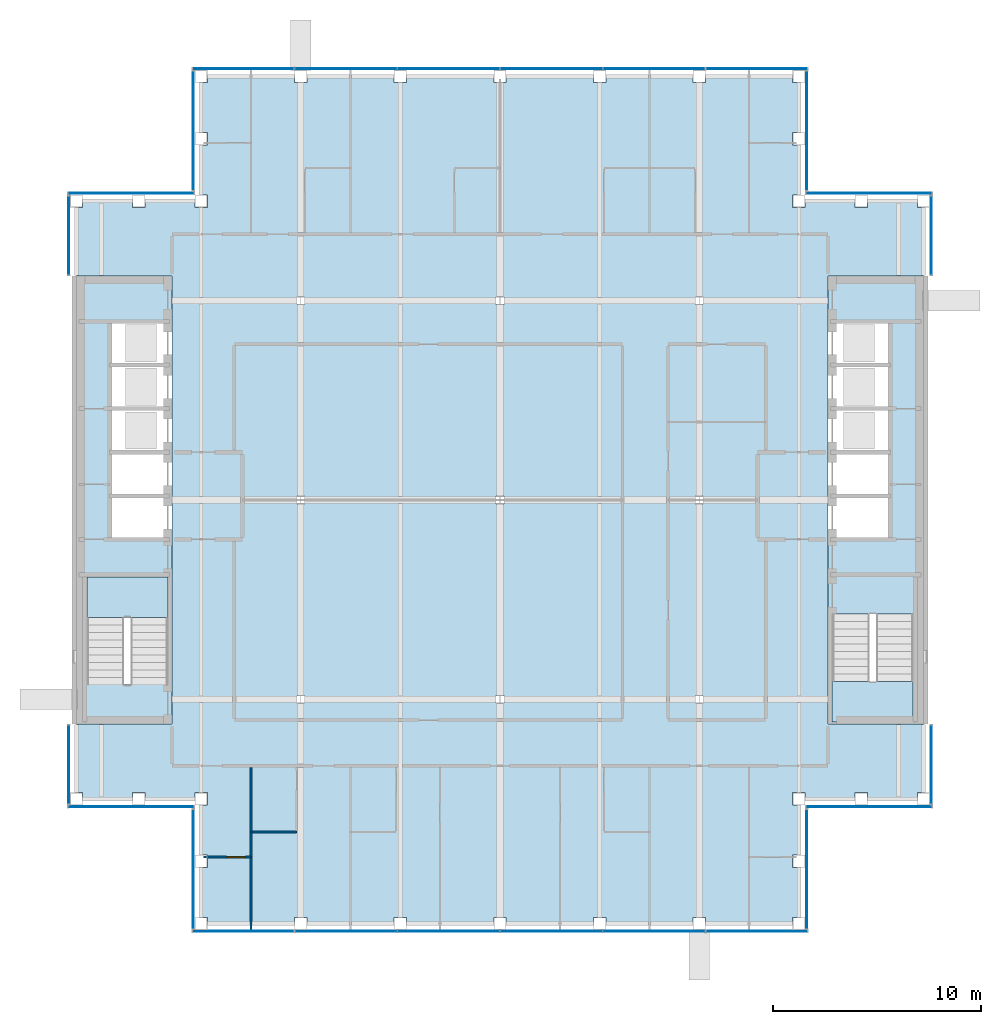
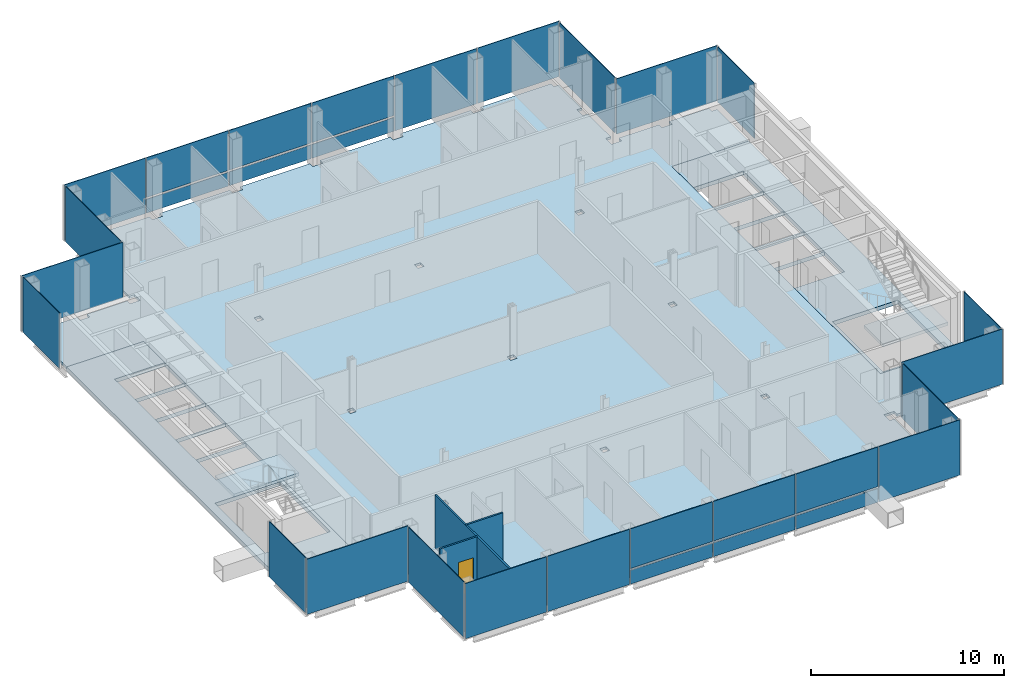
# One storey, part 9 of 15: 30 plates, 5 slabs, 3 walls, 1 door, 1 opening, 16 elements without a shape of their own.
"""IFC4 building model written with IfcOpenShell, lengths in metres."""

from ifc_helpers import new_model, si_unit, direction, frame, frame_2d, origin, origin_2d, place, context, subcontext, project, spatial, polyline, rectangle, outline, extrude, material, layer, layer_set, type_object, element, fill, aggregate, save


model = new_model("IFC4")

# Units and contexts
model_context = context("Model", 3, precision=1e-05, world=origin(), true_north=direction((0.0, 1.0)))
body_context = subcontext(model_context, "Body", "Model", "MODEL_VIEW")
ifc_project = project(units=[si_unit("LENGTHUNIT", "METRE"), si_unit("AREAUNIT", "SQUARE_METRE"), si_unit("VOLUMEUNIT", "CUBIC_METRE"), si_unit("PLANEANGLEUNIT", "RADIAN"), si_unit("MASSUNIT", "GRAM", prefix="KILO")], contexts=[model_context])

# Site, building, storey
site_placement = place(None, origin())
site = spatial("IfcSite", under=ifc_project, at=site_placement, CompositionType="ELEMENT")
building_placement = place(site_placement, origin())
building = spatial("IfcBuilding", under=site, at=building_placement, Name="Cobrizo Arcos Hotel Tower", CompositionType="ELEMENT")
storey_placement = place(building_placement, frame((0.0, 0.0, 258.5)))
storey = spatial("IfcBuildingStorey", under=building, at=storey_placement, Name="L68", CompositionType="ELEMENT", Elevation=258.5)

# Curtain wall, plates
ifc_material_1 = material(Name="Aluminium 6063-T6 anodised bronze", Category="aluminium")
curtain_wall_type = type_object("IfcCurtainWallType", Name="CW-A guest facade", PredefinedType="NOTDEFINED", material=ifc_material_1)
curtain_wall_1_placement = place(storey_placement, origin())
curtain_wall_1 = element("IfcCurtainWall", 1, at=curtain_wall_1_placement, inside=storey, type_object=curtain_wall_type, Name="CW-A L68 S face", PredefinedType="NOTDEFINED")
ifc_material_2 = material(Name="Glass clear laminated low-e", Category="glass")
ifc_layer_1 = layer(ifc_material_2, 0.0400390625)
ifc_layer_set_1 = layer_set([ifc_layer_1], Name="CW-A glass panel")
plate_type_1 = type_object("IfcPlateType", Name="CW-A glass panel", PredefinedType="CURTAIN_PANEL", material=ifc_layer_set_1)
plate_1_placement = place(storey_placement, frame((-2.47509765625, -20.77490234375, 0.990234375), z_axis=(0.0, 0.0, 1.0), x_axis=(1.0, 0.0, 0.0)))
plate_1 = element("IfcPlate", 2, at=plate_1_placement, type_object=plate_type_1, Name="CW-A glass panel 2134", PredefinedType="CURTAIN_PANEL", context=body_context, shape_type="SweptSolid", body=[
    extrude(rectangle(XDim=4.889892578125, YDim=0.0400390625, at=origin_2d()), origin(), (0.0, 0.0, 1.0), 2.510009765625),
])
plate_2_placement = place(storey_placement, frame((2.47509765625, -20.77490234375, 0.990234375), z_axis=(0.0, 0.0, 1.0), x_axis=(1.0, 0.0, 0.0)))
plate_2 = element("IfcPlate", 3, at=plate_2_placement, type_object=plate_type_1, Name="CW-A glass panel 2135", PredefinedType="CURTAIN_PANEL", context=body_context, shape_type="SweptSolid", body=[
    extrude(rectangle(XDim=4.889892578125, YDim=0.0400390625, at=origin_2d()), origin(), (0.0, 0.0, 1.0), 2.510009765625),
])
plate_3_placement = place(storey_placement, frame((7.425048828125, -20.77490234375, 0.990234375), z_axis=(0.0, 0.0, 1.0), x_axis=(1.0, 0.0, 0.0)))
plate_3 = element("IfcPlate", 4, at=plate_3_placement, type_object=plate_type_1, Name="CW-A glass panel 2136", PredefinedType="CURTAIN_PANEL", context=body_context, shape_type="SweptSolid", body=[
    extrude(rectangle(XDim=4.889892578125, YDim=0.0400390625, at=origin_2d()), origin(), (0.0, 0.0, 1.0), 2.510009765625),
])

curtain_wall_2_placement = place(storey_placement, origin())
curtain_wall_2 = element("IfcCurtainWall", 5, at=curtain_wall_2_placement, inside=storey, type_object=curtain_wall_type, Name="CW-A L68 N face", PredefinedType="NOTDEFINED")
plate_4_placement = place(storey_placement, frame((2.47509765625, 20.77490234375, 0.990234375), z_axis=(0.0, 0.0, 1.0), x_axis=(-1.0, 0.0, 0.0)))
plate_4 = element("IfcPlate", 6, at=plate_4_placement, type_object=plate_type_1, Name="CW-A glass panel 2146", PredefinedType="CURTAIN_PANEL", context=body_context, shape_type="SweptSolid", body=[
    extrude(rectangle(XDim=4.889892578125, YDim=0.0400390625, at=origin_2d()), origin(), (0.0, 0.0, 1.0), 2.510009765625),
])
plate_5_placement = place(storey_placement, frame((-2.47509765625, 20.77490234375, 0.990234375), z_axis=(0.0, 0.0, 1.0), x_axis=(-1.0, 0.0, 0.0)))
plate_5 = element("IfcPlate", 7, at=plate_5_placement, type_object=plate_type_1, Name="CW-A glass panel 2147", PredefinedType="CURTAIN_PANEL", context=body_context, shape_type="SweptSolid", body=[
    extrude(rectangle(XDim=4.889892578125, YDim=0.0400390625, at=origin_2d()), origin(), (0.0, 0.0, 1.0), 2.510009765625),
])
plate_6_placement = place(storey_placement, frame((-7.425048828125, 20.77490234375, 0.990234375), z_axis=(0.0, 0.0, 1.0), x_axis=(-1.0, 0.0, 0.0)))
plate_6 = element("IfcPlate", 8, at=plate_6_placement, type_object=plate_type_1, Name="CW-A glass panel 2148", PredefinedType="CURTAIN_PANEL", context=body_context, shape_type="SweptSolid", body=[
    extrude(rectangle(XDim=4.889892578125, YDim=0.0400390625, at=origin_2d()), origin(), (0.0, 0.0, 1.0), 2.510009765625),
])

# Plate
ifc_material_3 = material(Name="Aluminium composite panel pale metal", Category="aluminium")
ifc_layer_2 = layer(ifc_material_3, 0.0400390625)
ifc_layer_set_2 = layer_set([ifc_layer_2], Name="CW-A spandrel panel")
plate_type_2 = type_object("IfcPlateType", Name="CW-A spandrel panel", PredefinedType="CURTAIN_PANEL", material=ifc_layer_set_2)
plate_7_placement = place(storey_placement, frame((-12.360107421875, -20.77490234375, 0.0), z_axis=(0.0, 0.0, 1.0), x_axis=(1.0, 0.0, 0.0)))
plate_7 = element("IfcPlate", 9, at=plate_7_placement, type_object=plate_type_2, Name="CW-A spandrel panel 2132", PredefinedType="CURTAIN_PANEL", context=body_context, shape_type="SweptSolid", body=[
    extrude(rectangle(XDim=4.860107421875, YDim=0.0400390625, at=origin_2d()), origin(), (0.0, 0.0, 1.0), 3.5),
])

plate_8_placement = place(storey_placement, frame((-7.425048828125, -20.77490234375, 0.0), z_axis=(0.0, 0.0, 1.0), x_axis=(1.0, 0.0, 0.0)))
plate_8 = element("IfcPlate", 10, at=plate_8_placement, type_object=plate_type_2, Name="CW-A spandrel panel 2133", PredefinedType="CURTAIN_PANEL", context=body_context, shape_type="SweptSolid", body=[
    extrude(rectangle(XDim=4.889892578125, YDim=0.0400390625, at=origin_2d()), origin(), (0.0, 0.0, 1.0), 3.5),
])

plate_9_placement = place(storey_placement, frame((-2.47509765625, -20.77490234375, 0.0), z_axis=(0.0, 0.0, 1.0), x_axis=(1.0, 0.0, 0.0)))
plate_9 = element("IfcPlate", 11, at=plate_9_placement, type_object=plate_type_2, Name="CW-A spandrel panel 2134", PredefinedType="CURTAIN_PANEL", context=body_context, shape_type="SweptSolid", body=[
    extrude(rectangle(XDim=4.889892578125, YDim=0.0400390625, at=origin_2d()), origin(), (0.0, 0.0, 1.0), 0.8701171875),
])

plate_10_placement = place(storey_placement, frame((2.47509765625, -20.77490234375, 0.0), z_axis=(0.0, 0.0, 1.0), x_axis=(1.0, 0.0, 0.0)))
plate_10 = element("IfcPlate", 12, at=plate_10_placement, type_object=plate_type_2, Name="CW-A spandrel panel 2135", PredefinedType="CURTAIN_PANEL", context=body_context, shape_type="SweptSolid", body=[
    extrude(rectangle(XDim=4.889892578125, YDim=0.0400390625, at=origin_2d()), origin(), (0.0, 0.0, 1.0), 0.8701171875),
])

plate_11_placement = place(storey_placement, frame((7.425048828125, -20.77490234375, 0.0), z_axis=(0.0, 0.0, 1.0), x_axis=(1.0, 0.0, 0.0)))
plate_11 = element("IfcPlate", 13, at=plate_11_placement, type_object=plate_type_2, Name="CW-A spandrel panel 2136", PredefinedType="CURTAIN_PANEL", context=body_context, shape_type="SweptSolid", body=[
    extrude(rectangle(XDim=4.889892578125, YDim=0.0400390625, at=origin_2d()), origin(), (0.0, 0.0, 1.0), 0.8701171875),
])

plate_12_placement = place(storey_placement, frame((12.360107421875, -20.77490234375, 0.0), z_axis=(0.0, 0.0, 1.0), x_axis=(1.0, 0.0, 0.0)))
plate_12 = element("IfcPlate", 14, at=plate_12_placement, type_object=plate_type_2, Name="CW-A spandrel panel 2137", PredefinedType="CURTAIN_PANEL", context=body_context, shape_type="SweptSolid", body=[
    extrude(rectangle(XDim=4.860107421875, YDim=0.0400390625, at=origin_2d()), origin(), (0.0, 0.0, 1.0), 3.5),
])

aggregate(curtain_wall_1, [plate_7, plate_8, plate_9, plate_1, plate_10, plate_2, plate_11, plate_3, plate_12])

# Curtain wall, plate
curtain_wall_3_placement = place(storey_placement, origin())
curtain_wall_3 = element("IfcCurtainWall", 15, at=curtain_wall_3_placement, inside=storey, type_object=curtain_wall_type, Name="CW-A L68 E face", PredefinedType="NOTDEFINED")
plate_13_placement = place(storey_placement, frame((14.77490234375, -17.77490234375, 0.0), z_axis=(0.0, 0.0, 1.0), x_axis=(0.0, 1.0, 0.0)))
plate_13 = element("IfcPlate", 16, at=plate_13_placement, type_object=plate_type_2, Name="CW-A spandrel panel 2138", PredefinedType="CURTAIN_PANEL", context=body_context, shape_type="SweptSolid", body=[
    extrude(rectangle(XDim=5.72998046875, YDim=0.0400390625, at=origin_2d()), origin(), (0.0, 0.0, 1.0), 3.5),
])
aggregate(curtain_wall_3, [plate_13])

curtain_wall_4_placement = place(storey_placement, origin())
curtain_wall_4 = element("IfcCurtainWall", 17, at=curtain_wall_4_placement, inside=storey, type_object=curtain_wall_type, Name="CW-A L68 S face", PredefinedType="NOTDEFINED")
plate_14_placement = place(storey_placement, frame((17.77490234375, -14.77490234375, 0.0), z_axis=(0.0, 0.0, 1.0), x_axis=(1.0, 0.0, 0.0)))
plate_14 = element("IfcPlate", 18, at=plate_14_placement, type_object=plate_type_2, Name="CW-A spandrel panel 2139", PredefinedType="CURTAIN_PANEL", context=body_context, shape_type="SweptSolid", body=[
    extrude(rectangle(XDim=6.030029296875, YDim=0.0400390625, at=origin_2d()), origin(), (0.0, 0.0, 1.0), 3.5),
])
aggregate(curtain_wall_4, [plate_14])

curtain_wall_5_placement = place(storey_placement, origin())
curtain_wall_5 = element("IfcCurtainWall", 19, at=curtain_wall_5_placement, inside=storey, type_object=curtain_wall_type, Name="CW-A L68 E face", PredefinedType="NOTDEFINED")
plate_15_placement = place(storey_placement, frame((20.77490234375, -12.75, 0.0), z_axis=(0.0, 0.0, 1.0), x_axis=(0.0, 1.0, 0.0)))
plate_15 = element("IfcPlate", 20, at=plate_15_placement, type_object=plate_type_2, Name="CW-A spandrel panel 2140", PredefinedType="CURTAIN_PANEL", context=body_context, shape_type="SweptSolid", body=[
    extrude(rectangle(XDim=3.780029296875, YDim=0.0400390625, at=origin_2d()), origin(), (0.0, 0.0, 1.0), 3.5),
])
aggregate(curtain_wall_5, [plate_15])

curtain_wall_6_placement = place(storey_placement, origin())
curtain_wall_6 = element("IfcCurtainWall", 21, at=curtain_wall_6_placement, inside=storey, type_object=curtain_wall_type, Name="CW-A L68 E face", PredefinedType="NOTDEFINED")
plate_16_placement = place(storey_placement, frame((20.77490234375, 12.75, 0.0), z_axis=(0.0, 0.0, 1.0), x_axis=(0.0, 1.0, 0.0)))
plate_16 = element("IfcPlate", 22, at=plate_16_placement, type_object=plate_type_2, Name="CW-A spandrel panel 2141", PredefinedType="CURTAIN_PANEL", context=body_context, shape_type="SweptSolid", body=[
    extrude(rectangle(XDim=3.780029296875, YDim=0.0400390625, at=origin_2d()), origin(), (0.0, 0.0, 1.0), 3.5),
])
aggregate(curtain_wall_6, [plate_16])

curtain_wall_7_placement = place(storey_placement, origin())
curtain_wall_7 = element("IfcCurtainWall", 23, at=curtain_wall_7_placement, inside=storey, type_object=curtain_wall_type, Name="CW-A L68 N face", PredefinedType="NOTDEFINED")
plate_17_placement = place(storey_placement, frame((17.77490234375, 14.77490234375, 0.0), z_axis=(0.0, 0.0, 1.0), x_axis=(-1.0, 0.0, 0.0)))
plate_17 = element("IfcPlate", 24, at=plate_17_placement, type_object=plate_type_2, Name="CW-A spandrel panel 2142", PredefinedType="CURTAIN_PANEL", context=body_context, shape_type="SweptSolid", body=[
    extrude(rectangle(XDim=6.030029296875, YDim=0.0400390625, at=origin_2d()), origin(), (0.0, 0.0, 1.0), 3.5),
])
aggregate(curtain_wall_7, [plate_17])

curtain_wall_8_placement = place(storey_placement, origin())
curtain_wall_8 = element("IfcCurtainWall", 25, at=curtain_wall_8_placement, inside=storey, type_object=curtain_wall_type, Name="CW-A L68 E face", PredefinedType="NOTDEFINED")
plate_18_placement = place(storey_placement, frame((14.77490234375, 17.77490234375, 0.0), z_axis=(0.0, 0.0, 1.0), x_axis=(0.0, 1.0, 0.0)))
plate_18 = element("IfcPlate", 26, at=plate_18_placement, type_object=plate_type_2, Name="CW-A spandrel panel 2143", PredefinedType="CURTAIN_PANEL", context=body_context, shape_type="SweptSolid", body=[
    extrude(rectangle(XDim=5.72998046875, YDim=0.0400390625, at=origin_2d()), origin(), (0.0, 0.0, 1.0), 3.5),
])
aggregate(curtain_wall_8, [plate_18])

# Plate
plate_19_placement = place(storey_placement, frame((12.360107421875, 20.77490234375, 0.0), z_axis=(0.0, 0.0, 1.0), x_axis=(-1.0, 0.0, 0.0)))
plate_19 = element("IfcPlate", 27, at=plate_19_placement, type_object=plate_type_2, Name="CW-A spandrel panel 2144", PredefinedType="CURTAIN_PANEL", context=body_context, shape_type="SweptSolid", body=[
    extrude(rectangle(XDim=4.860107421875, YDim=0.0400390625, at=origin_2d()), origin(), (0.0, 0.0, 1.0), 3.5),
])

plate_20_placement = place(storey_placement, frame((7.425048828125, 20.77490234375, 0.0), z_axis=(0.0, 0.0, 1.0), x_axis=(-1.0, 0.0, 0.0)))
plate_20 = element("IfcPlate", 28, at=plate_20_placement, type_object=plate_type_2, Name="CW-A spandrel panel 2145", PredefinedType="CURTAIN_PANEL", context=body_context, shape_type="SweptSolid", body=[
    extrude(rectangle(XDim=4.889892578125, YDim=0.0400390625, at=origin_2d()), origin(), (0.0, 0.0, 1.0), 3.5),
])

plate_21_placement = place(storey_placement, frame((2.47509765625, 20.77490234375, 0.0), z_axis=(0.0, 0.0, 1.0), x_axis=(-1.0, 0.0, 0.0)))
plate_21 = element("IfcPlate", 29, at=plate_21_placement, type_object=plate_type_2, Name="CW-A spandrel panel 2146", PredefinedType="CURTAIN_PANEL", context=body_context, shape_type="SweptSolid", body=[
    extrude(rectangle(XDim=4.889892578125, YDim=0.0400390625, at=origin_2d()), origin(), (0.0, 0.0, 1.0), 0.8701171875),
])

plate_22_placement = place(storey_placement, frame((-2.47509765625, 20.77490234375, 0.0), z_axis=(0.0, 0.0, 1.0), x_axis=(-1.0, 0.0, 0.0)))
plate_22 = element("IfcPlate", 30, at=plate_22_placement, type_object=plate_type_2, Name="CW-A spandrel panel 2147", PredefinedType="CURTAIN_PANEL", context=body_context, shape_type="SweptSolid", body=[
    extrude(rectangle(XDim=4.889892578125, YDim=0.0400390625, at=origin_2d()), origin(), (0.0, 0.0, 1.0), 0.8701171875),
])

plate_23_placement = place(storey_placement, frame((-7.425048828125, 20.77490234375, 0.0), z_axis=(0.0, 0.0, 1.0), x_axis=(-1.0, 0.0, 0.0)))
plate_23 = element("IfcPlate", 31, at=plate_23_placement, type_object=plate_type_2, Name="CW-A spandrel panel 2148", PredefinedType="CURTAIN_PANEL", context=body_context, shape_type="SweptSolid", body=[
    extrude(rectangle(XDim=4.889892578125, YDim=0.0400390625, at=origin_2d()), origin(), (0.0, 0.0, 1.0), 0.8701171875),
])

plate_24_placement = place(storey_placement, frame((-12.360107421875, 20.77490234375, 0.0), z_axis=(0.0, 0.0, 1.0), x_axis=(-1.0, 0.0, 0.0)))
plate_24 = element("IfcPlate", 32, at=plate_24_placement, type_object=plate_type_2, Name="CW-A spandrel panel 2149", PredefinedType="CURTAIN_PANEL", context=body_context, shape_type="SweptSolid", body=[
    extrude(rectangle(XDim=4.860107421875, YDim=0.0400390625, at=origin_2d()), origin(), (0.0, 0.0, 1.0), 3.5),
])

aggregate(curtain_wall_2, [plate_19, plate_20, plate_21, plate_4, plate_22, plate_5, plate_23, plate_6, plate_24])

# Curtain wall, plate
curtain_wall_9_placement = place(storey_placement, origin())
curtain_wall_9 = element("IfcCurtainWall", 33, at=curtain_wall_9_placement, inside=storey, type_object=curtain_wall_type, Name="CW-A L68 W face", PredefinedType="NOTDEFINED")
plate_25_placement = place(storey_placement, frame((-14.77490234375, 17.77490234375, 0.0), z_axis=(0.0, 0.0, 1.0), x_axis=(0.0, -1.0, 0.0)))
plate_25 = element("IfcPlate", 34, at=plate_25_placement, type_object=plate_type_2, Name="CW-A spandrel panel 2150", PredefinedType="CURTAIN_PANEL", context=body_context, shape_type="SweptSolid", body=[
    extrude(rectangle(XDim=5.72998046875, YDim=0.0400390625, at=origin_2d()), origin(), (0.0, 0.0, 1.0), 3.5),
])
aggregate(curtain_wall_9, [plate_25])

curtain_wall_10_placement = place(storey_placement, origin())
curtain_wall_10 = element("IfcCurtainWall", 35, at=curtain_wall_10_placement, inside=storey, type_object=curtain_wall_type, Name="CW-A L68 N face", PredefinedType="NOTDEFINED")
plate_26_placement = place(storey_placement, frame((-17.77490234375, 14.77490234375, 0.0), z_axis=(0.0, 0.0, 1.0), x_axis=(-1.0, 0.0, 0.0)))
plate_26 = element("IfcPlate", 36, at=plate_26_placement, type_object=plate_type_2, Name="CW-A spandrel panel 2151", PredefinedType="CURTAIN_PANEL", context=body_context, shape_type="SweptSolid", body=[
    extrude(rectangle(XDim=6.030029296875, YDim=0.0400390625, at=origin_2d()), origin(), (0.0, 0.0, 1.0), 3.5),
])
aggregate(curtain_wall_10, [plate_26])

curtain_wall_11_placement = place(storey_placement, origin())
curtain_wall_11 = element("IfcCurtainWall", 37, at=curtain_wall_11_placement, inside=storey, type_object=curtain_wall_type, Name="CW-A L68 W face", PredefinedType="NOTDEFINED")
plate_27_placement = place(storey_placement, frame((-20.77490234375, 12.75, 0.0), z_axis=(0.0, 0.0, 1.0), x_axis=(0.0, -1.0, 0.0)))
plate_27 = element("IfcPlate", 38, at=plate_27_placement, type_object=plate_type_2, Name="CW-A spandrel panel 2152", PredefinedType="CURTAIN_PANEL", context=body_context, shape_type="SweptSolid", body=[
    extrude(rectangle(XDim=3.780029296875, YDim=0.0400390625, at=origin_2d()), origin(), (0.0, 0.0, 1.0), 3.5),
])
aggregate(curtain_wall_11, [plate_27])

curtain_wall_12_placement = place(storey_placement, origin())
curtain_wall_12 = element("IfcCurtainWall", 39, at=curtain_wall_12_placement, inside=storey, type_object=curtain_wall_type, Name="CW-A L68 W face", PredefinedType="NOTDEFINED")
plate_28_placement = place(storey_placement, frame((-20.77490234375, -12.75, 0.0), z_axis=(0.0, 0.0, 1.0), x_axis=(0.0, -1.0, 0.0)))
plate_28 = element("IfcPlate", 40, at=plate_28_placement, type_object=plate_type_2, Name="CW-A spandrel panel 2153", PredefinedType="CURTAIN_PANEL", context=body_context, shape_type="SweptSolid", body=[
    extrude(rectangle(XDim=3.780029296875, YDim=0.0400390625, at=origin_2d()), origin(), (0.0, 0.0, 1.0), 3.5),
])
aggregate(curtain_wall_12, [plate_28])

curtain_wall_13_placement = place(storey_placement, origin())
curtain_wall_13 = element("IfcCurtainWall", 41, at=curtain_wall_13_placement, inside=storey, type_object=curtain_wall_type, Name="CW-A L68 S face", PredefinedType="NOTDEFINED")
plate_29_placement = place(storey_placement, frame((-17.77490234375, -14.77490234375, 0.0), z_axis=(0.0, 0.0, 1.0), x_axis=(1.0, 0.0, 0.0)))
plate_29 = element("IfcPlate", 42, at=plate_29_placement, type_object=plate_type_2, Name="CW-A spandrel panel 2154", PredefinedType="CURTAIN_PANEL", context=body_context, shape_type="SweptSolid", body=[
    extrude(rectangle(XDim=6.030029296875, YDim=0.0400390625, at=origin_2d()), origin(), (0.0, 0.0, 1.0), 3.5),
])
aggregate(curtain_wall_13, [plate_29])

curtain_wall_14_placement = place(storey_placement, origin())
curtain_wall_14 = element("IfcCurtainWall", 43, at=curtain_wall_14_placement, inside=storey, type_object=curtain_wall_type, Name="CW-A L68 W face", PredefinedType="NOTDEFINED")
plate_30_placement = place(storey_placement, frame((-14.77490234375, -17.77490234375, 0.0), z_axis=(0.0, 0.0, 1.0), x_axis=(0.0, -1.0, 0.0)))
plate_30 = element("IfcPlate", 44, at=plate_30_placement, type_object=plate_type_2, Name="CW-A spandrel panel 2155", PredefinedType="CURTAIN_PANEL", context=body_context, shape_type="SweptSolid", body=[
    extrude(rectangle(XDim=5.72998046875, YDim=0.0400390625, at=origin_2d()), origin(), (0.0, 0.0, 1.0), 3.5),
])
aggregate(curtain_wall_14, [plate_30])

# Slabs
ifc_material_4 = material(Name="Concrete f'c 35 MPa", Category="concrete")
ifc_layer_3 = layer(ifc_material_4, 0.14990234375)
ifc_layer_set_3 = layer_set([ifc_layer_3], Name="Composite floor slab 150 f'c 35")
slab_type_1 = type_object("IfcSlabType", Name="Composite floor slab 150 f'c 35", PredefinedType="FLOOR", material=ifc_layer_set_3)
slab_1_placement = place(storey_placement, frame((0.0, 0.0, -0.14990234375)))
element("IfcSlab", 45, at=slab_1_placement, inside=storey, type_object=slab_type_1, Name="Floor slab S5, L68, no. 01", PredefinedType="FLOOR", context=body_context, shape_type="SweptSolid", body=[
    extrude(outline(polyline([(-14.10009765625, -20.39990234375), (-14.10009765625, -20.10009765625), (-14.39990234375, -20.10009765625), (-14.39990234375, -17.699951171875), (-14.10009765625, -17.699951171875), (-14.10009765625, -17.10009765625), (-14.39990234375, -17.10009765625), (-14.39990234375, -14.699951171875), (-14.10009765625, -14.699951171875), (-14.10009765625, -14.10009765625), (-14.699951171875, -14.10009765625), (-14.699951171875, -14.39990234375), (-17.10009765625, -14.39990234375), (-17.10009765625, -14.10009765625), (-17.699951171875, -14.10009765625), (-17.699951171875, -14.39990234375), (-20.10009765625, -14.39990234375), (-20.10009765625, -14.10009765625), (-20.39990234375, -14.10009765625), (-20.39990234375, -10.800048828125), (-15.800048828125, -10.800048828125), (-15.800048828125, 10.800048828125), (-20.39990234375, 10.800048828125), (-20.39990234375, 14.10009765625), (-20.10009765625, 14.10009765625), (-20.10009765625, 14.39990234375), (-17.699951171875, 14.39990234375), (-17.699951171875, 14.10009765625), (-17.10009765625, 14.10009765625), (-17.10009765625, 14.39990234375), (-14.699951171875, 14.39990234375), (-14.699951171875, 14.10009765625), (-14.10009765625, 14.10009765625), (-14.10009765625, 14.699951171875), (-14.39990234375, 14.699951171875), (-14.39990234375, 17.10009765625), (-14.10009765625, 17.10009765625), (-14.10009765625, 17.699951171875), (-14.39990234375, 17.699951171875), (-14.39990234375, 20.10009765625), (-14.10009765625, 20.10009765625), (-14.10009765625, 20.39990234375), (-9.89990234375, 20.39990234375), (-9.89990234375, 20.10009765625), (-9.300048828125, 20.10009765625), (-9.300048828125, 20.39990234375), (-5.10009765625, 20.39990234375), (-5.10009765625, 20.10009765625), (-4.5, 20.10009765625), (-4.5, 20.39990234375), (-0.300048828125, 20.39990234375), (-0.300048828125, 20.10009765625), (0.300048828125, 20.10009765625), (0.300048828125, 20.39990234375), (4.5, 20.39990234375), (4.5, 20.10009765625), (5.10009765625, 20.10009765625), (5.10009765625, 20.39990234375), (9.300048828125, 20.39990234375), (9.300048828125, 20.10009765625), (9.89990234375, 20.10009765625), (9.89990234375, 20.39990234375), (14.10009765625, 20.39990234375), (14.10009765625, 20.10009765625), (14.39990234375, 20.10009765625), (14.39990234375, 17.699951171875), (14.10009765625, 17.699951171875), (14.10009765625, 17.10009765625), (14.39990234375, 17.10009765625), (14.39990234375, 14.699951171875), (14.10009765625, 14.699951171875), (14.10009765625, 14.10009765625), (14.699951171875, 14.10009765625), (14.699951171875, 14.39990234375), (17.10009765625, 14.39990234375), (17.10009765625, 14.10009765625), (17.699951171875, 14.10009765625), (17.699951171875, 14.39990234375), (20.10009765625, 14.39990234375), (20.10009765625, 14.10009765625), (20.39990234375, 14.10009765625), (20.39990234375, 10.800048828125), (15.800048828125, 10.800048828125), (15.800048828125, -10.800048828125), (20.39990234375, -10.800048828125), (20.39990234375, -14.10009765625), (20.10009765625, -14.10009765625), (20.10009765625, -14.39990234375), (17.699951171875, -14.39990234375), (17.699951171875, -14.10009765625), (17.10009765625, -14.10009765625), (17.10009765625, -14.39990234375), (14.699951171875, -14.39990234375), (14.699951171875, -14.10009765625), (14.10009765625, -14.10009765625), (14.10009765625, -14.699951171875), (14.39990234375, -14.699951171875), (14.39990234375, -17.10009765625), (14.10009765625, -17.10009765625), (14.10009765625, -17.699951171875), (14.39990234375, -17.699951171875), (14.39990234375, -20.10009765625), (14.10009765625, -20.10009765625), (14.10009765625, -20.39990234375), (9.89990234375, -20.39990234375), (9.89990234375, -20.10009765625), (9.300048828125, -20.10009765625), (9.300048828125, -20.39990234375), (5.10009765625, -20.39990234375), (5.10009765625, -20.10009765625), (4.5, -20.10009765625), (4.5, -20.39990234375), (0.300048828125, -20.39990234375), (0.300048828125, -20.10009765625), (-0.300048828125, -20.10009765625), (-0.300048828125, -20.39990234375), (-4.5, -20.39990234375), (-4.5, -20.10009765625), (-5.10009765625, -20.10009765625), (-5.10009765625, -20.39990234375), (-9.300048828125, -20.39990234375), (-9.300048828125, -20.10009765625), (-9.89990234375, -20.10009765625), (-9.89990234375, -20.39990234375), (-14.10009765625, -20.39990234375)]), holes=[polyline([(-9.415771484375, -9.7841796875), (-9.415771484375, -9.415771484375), (-9.7841796875, -9.415771484375), (-9.7841796875, -9.7841796875), (-9.415771484375, -9.7841796875)]), polyline([(-9.415771484375, -0.18408203125), (-9.415771484375, 0.18408203125), (-9.7841796875, 0.18408203125), (-9.7841796875, -0.18408203125), (-9.415771484375, -0.18408203125)]), polyline([(-9.7841796875, 9.415771484375), (-9.415771484375, 9.415771484375), (-9.415771484375, 9.7841796875), (-9.7841796875, 9.7841796875), (-9.7841796875, 9.415771484375)]), polyline([(-0.18408203125, -9.7841796875), (0.18408203125, -9.7841796875), (0.18408203125, -9.415771484375), (-0.18408203125, -9.415771484375), (-0.18408203125, -9.7841796875)]), polyline([(9.415771484375, -9.7841796875), (9.7841796875, -9.7841796875), (9.7841796875, -9.415771484375), (9.415771484375, -9.415771484375), (9.415771484375, -9.7841796875)]), polyline([(0.18408203125, -0.18408203125), (0.18408203125, 0.18408203125), (-0.18408203125, 0.18408203125), (-0.18408203125, -0.18408203125), (0.18408203125, -0.18408203125)]), polyline([(9.7841796875, -0.18408203125), (9.7841796875, 0.18408203125), (9.415771484375, 0.18408203125), (9.415771484375, -0.18408203125), (9.7841796875, -0.18408203125)]), polyline([(0.18408203125, 9.415771484375), (0.18408203125, 9.7841796875), (-0.18408203125, 9.7841796875), (-0.18408203125, 9.415771484375), (0.18408203125, 9.415771484375)]), polyline([(9.415771484375, 9.415771484375), (9.7841796875, 9.415771484375), (9.7841796875, 9.7841796875), (9.415771484375, 9.7841796875), (9.415771484375, 9.415771484375)])]), origin(), (0.0, 0.0, 1.0), 0.14990234375),
])
ifc_material_5 = material(Name="Concrete f'c 40 MPa", Category="concrete")
ifc_layer_4 = layer(ifc_material_5, 0.25)
ifc_layer_set_4 = layer_set([ifc_layer_4], Name="RC core floor slab 250 f'c 40")
slab_type_2 = type_object("IfcSlabType", Name="RC core floor slab 250 f'c 40", PredefinedType="FLOOR", material=ifc_layer_set_4)
slab_2_placement = place(storey_placement, frame((0.0, 0.0, -0.25)))
element("IfcSlab", 46, at=slab_2_placement, inside=storey, type_object=slab_type_2, Name="Core floor slab CS7, east core, L68", PredefinedType="FLOOR", context=body_context, shape_type="SweptSolid", body=[
    extrude(outline(polyline([(15.800048828125, 10.800048828125), (20.39990234375, 10.800048828125), (20.39990234375, -10.800048828125), (15.800048828125, -10.800048828125), (15.800048828125, 10.800048828125)]), holes=[polyline([(19.89794921875, -10.697998046875), (19.89794921875, -5.501953125), (16.001953125, -5.501953125), (16.001953125, -10.697998046875), (19.89794921875, -10.697998046875)]), polyline([(15.802001953125, 0.197998046875), (15.802001953125, -1.89794921875), (18.798095703125, -1.89794921875), (18.798095703125, 0.197998046875), (15.802001953125, 0.197998046875)]), polyline([(15.802001953125, 2.298095703125), (15.802001953125, 0.201904296875), (18.798095703125, 0.201904296875), (18.798095703125, 2.298095703125), (15.802001953125, 2.298095703125)]), polyline([(15.802001953125, 4.39794921875), (15.802001953125, 2.302001953125), (18.798095703125, 2.302001953125), (18.798095703125, 4.39794921875), (15.802001953125, 4.39794921875)]), polyline([(18.798095703125, 6.498046875), (15.802001953125, 6.498046875), (15.802001953125, 4.402099609375), (18.798095703125, 4.402099609375), (18.798095703125, 6.498046875)]), polyline([(18.798095703125, 8.597900390625), (15.802001953125, 8.597900390625), (15.802001953125, 6.501953125), (18.798095703125, 6.501953125), (18.798095703125, 8.597900390625)])]), origin(), (0.0, 0.0, 1.0), 0.25),
])
slab_3_placement = place(storey_placement, frame((0.0, 0.0, -0.25)))
element("IfcSlab", 47, at=slab_3_placement, inside=storey, type_object=slab_type_2, Name="Core floor slab CS7, west core, L68", PredefinedType="FLOOR", context=body_context, shape_type="SweptSolid", body=[
    extrude(outline(polyline([(-20.39990234375, 10.800048828125), (-15.800048828125, 10.800048828125), (-15.800048828125, -10.800048828125), (-20.39990234375, -10.800048828125), (-20.39990234375, 10.800048828125)]), holes=[polyline([(-19.89794921875, -3.701904296875), (-19.89794921875, -8.89794921875), (-16.001953125, -8.89794921875), (-16.001953125, -3.701904296875), (-19.89794921875, -3.701904296875)]), polyline([(-18.798095703125, 0.197998046875), (-18.798095703125, -1.89794921875), (-15.802001953125, -1.89794921875), (-15.802001953125, 0.197998046875), (-18.798095703125, 0.197998046875)]), polyline([(-18.798095703125, 2.298095703125), (-18.798095703125, 0.201904296875), (-15.802001953125, 0.201904296875), (-15.802001953125, 2.298095703125), (-18.798095703125, 2.298095703125)]), polyline([(-18.798095703125, 4.39794921875), (-18.798095703125, 2.302001953125), (-15.802001953125, 2.302001953125), (-15.802001953125, 4.39794921875), (-18.798095703125, 4.39794921875)]), polyline([(-15.802001953125, 6.498046875), (-18.798095703125, 6.498046875), (-18.798095703125, 4.402099609375), (-15.802001953125, 4.402099609375), (-15.802001953125, 6.498046875)]), polyline([(-15.802001953125, 8.597900390625), (-18.798095703125, 8.597900390625), (-18.798095703125, 6.501953125), (-15.802001953125, 6.501953125), (-15.802001953125, 8.597900390625)])]), origin(), (0.0, 0.0, 1.0), 0.25),
])

# Stair, slab
stair_type = type_object("IfcStairType", Name="Exit stair", PredefinedType="HALF_TURN_STAIR", material=ifc_material_5)
stair_1_placement = place(storey_placement, origin())
stair_1 = element("IfcStair", 48, at=stair_1_placement, inside=storey, type_object=stair_type, Name="L68 Exit stair ST-W", PredefinedType="HALF_TURN_STAIR")
ifc_layer_5 = layer(ifc_material_5, 0.199951171875)
ifc_layer_set_5 = layer_set([ifc_layer_5], Name="Stair landing")
slab_type_3 = type_object("IfcSlabType", Name="Stair landing", PredefinedType="LANDING", material=ifc_layer_set_5)
slab_4_placement = place(storey_placement, frame((0.0, 0.0, 1.550048828125)))
slab_4 = element("IfcSlab", 49, at=slab_4_placement, type_object=slab_type_3, Name="ST-W landing 1", PredefinedType="LANDING", context=body_context, shape_type="SweptSolid", body=[
    extrude(outline(polyline([(-16.0, -5.659912109375), (-16.0, -3.699951171875), (-19.89990234375, -3.699951171875), (-19.89990234375, -5.659912109375), (-16.0, -5.659912109375)])), origin(), (0.0, 0.0, 1.0), 0.199951171875),
])
aggregate(stair_1, [slab_4])

stair_2_placement = place(storey_placement, origin())
stair_2 = element("IfcStair", 50, at=stair_2_placement, inside=storey, type_object=stair_type, Name="L68 Exit stair ST-E", PredefinedType="HALF_TURN_STAIR")
slab_5_placement = place(storey_placement, frame((0.0, 0.0, 1.550048828125)))
slab_5 = element("IfcSlab", 51, at=slab_5_placement, type_object=slab_type_3, Name="ST-E landing 1", PredefinedType="LANDING", context=body_context, shape_type="SweptSolid", body=[
    extrude(outline(polyline([(16.0, -8.739990234375), (16.0, -10.699951171875), (19.89990234375, -10.699951171875), (19.89990234375, -8.739990234375), (16.0, -8.739990234375)])), origin(), (0.0, 0.0, 1.0), 0.199951171875),
])
aggregate(stair_2, [slab_5])

# Wall, opening, door
ifc_material_6 = material(Name="Gypsum board partition")
ifc_layer_6 = layer(ifc_material_6, 0.10009765625)
ifc_layer_set_6 = layer_set([ifc_layer_6], Name="Partition EI 30 100")
wall_type = type_object("IfcWallType", Name="Partition EI 30 100", PredefinedType="PARTITIONING", material=ifc_layer_set_6)
wall_1_placement = place(storey_placement, frame((-14.280029296875, -17.199951171875, 0.0), z_axis=(0.0, 0.0, 1.0), x_axis=(1.0, 0.0, 0.0)))
wall_1 = element("IfcWall", 52, at=wall_1_placement, inside=storey, type_object=wall_type, Name="Partition 001", PredefinedType="PARTITIONING", context=body_context, shape_type="SweptSolid", body=[
    extrude(rectangle(XDim=2.280029296875, YDim=0.10009765625, at=frame_2d((1.14013671875, 0.0))), origin(), (0.0, 0.0, 1.0), 3.35009765625),
])
opening_placement = place(wall_1_placement, frame((1.110107421875, 0.0, 0.0)))
opening = element("IfcOpeningElement", 53, at=opening_placement, cuts=wall_1, Name="Opening ED-08", PredefinedType="OPENING", context=body_context, shape_type="SweptSolid", body=[
    extrude(rectangle(XDim=0.89990234375, YDim=2.10009765625, at=frame_2d((0.449951171875, 1.050048828125))), frame((0.0, 0.06201171875, 0.0), z_axis=(0.0, -1.0, 0.0), x_axis=(1.0, 0.0, 0.0)), (0.0, 0.0, 1.0), 0.1240234375),
])
ifc_material_7 = material(Name="Timber door leaf", Category="wood")
door_type = type_object("IfcDoorType", Name="En-suite door 900x2100", OperationType="SINGLE_SWING_LEFT", PredefinedType="DOOR", material=ifc_material_7)
door_placement = place(opening_placement, origin())
door = element("IfcDoor", 54, at=door_placement, inside=storey, type_object=door_type, Name="Door ED-08", OperationType="SINGLE_SWING_LEFT", OverallHeight=2.10009765625, OverallWidth=0.89990234375, PredefinedType="DOOR", context=body_context, shape_type="SweptSolid", body=[
    extrude(rectangle(XDim=0.89990234375, YDim=2.10009765625, at=frame_2d((0.449951171875, 1.050048828125))), frame((0.0, 0.02490234375, 0.0), z_axis=(0.0, -1.0, 0.0), x_axis=(1.0, 0.0, 0.0)), (0.0, 0.0, 1.0), 0.050048828125),
])
fill(opening, door)

# Walls
wall_2_placement = place(storey_placement, frame((-12.0, -16.0, 0.0), z_axis=(0.0, 0.0, 1.0), x_axis=(1.0, 0.0, 0.0)))
element("IfcWall", 55, at=wall_2_placement, inside=storey, type_object=wall_type, Name="Partition 003", PredefinedType="PARTITIONING", context=body_context, shape_type="SweptSolid", body=[
    extrude(rectangle(XDim=2.199951171875, YDim=0.10009765625, at=frame_2d((1.10009765625, 0.0))), origin(), (0.0, 0.0, 1.0), 3.35009765625),
])
wall_3_placement = place(storey_placement, frame((-12.0, -20.72998046875, 0.0), z_axis=(0.0, 0.0, 1.0), x_axis=(0.0, 1.0, 0.0)))
element("IfcWall", 56, at=wall_3_placement, inside=storey, type_object=wall_type, Name="Partition 054", PredefinedType="PARTITIONING", context=body_context, shape_type="SweptSolid", body=[
    extrude(rectangle(XDim=7.85498046875, YDim=0.10009765625, at=frame_2d((3.927490234375, 0.0))), origin(), (0.0, 0.0, 1.0), 3.35009765625),
])

save(model, "model.ifc")
